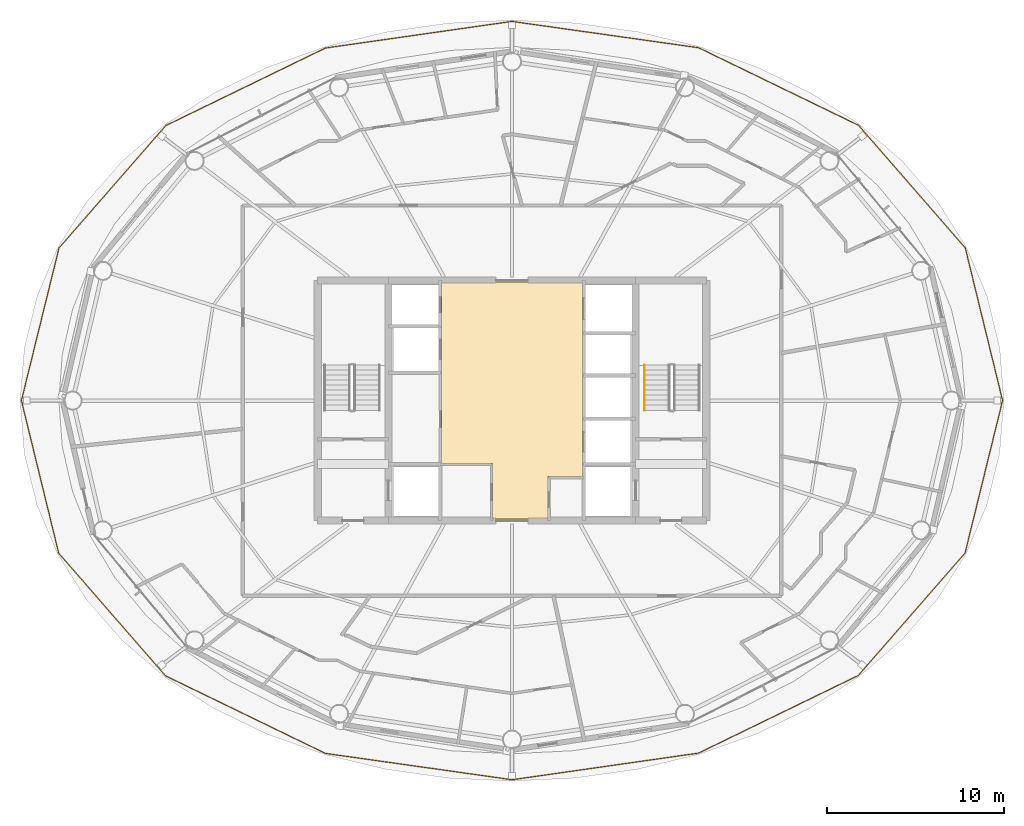
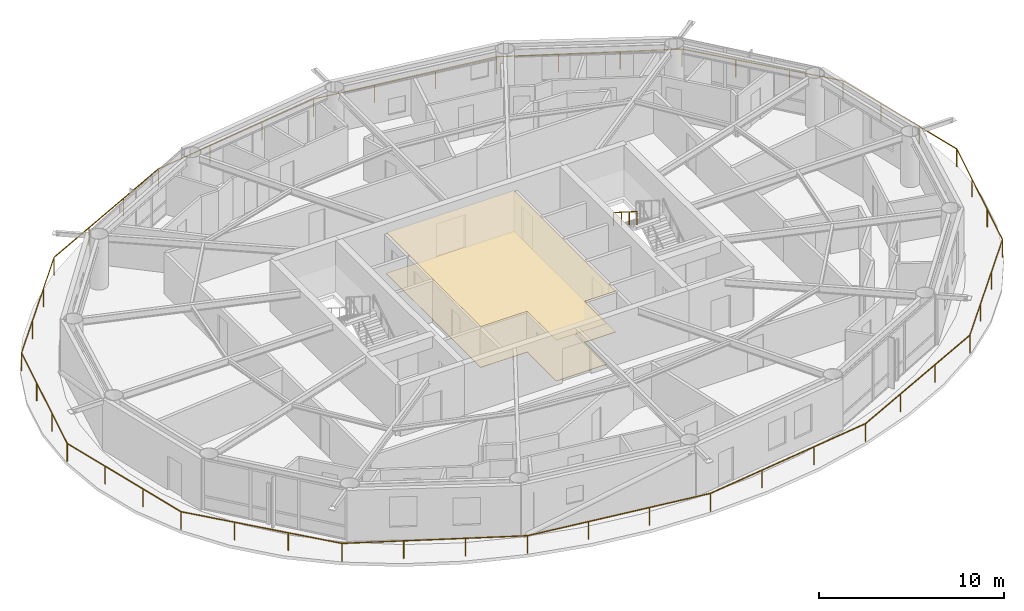
# One storey, part 22 of 23: 2 coverings, 2 railings.
"""IFC4 building model written with IfcOpenShell, lengths in metres."""

from ifc_helpers import new_model, si_unit, direction, frame, origin, origin_2d, place, context, subcontext, project, spatial, polyline, rectangle, outline, extrude, material, layer, layer_set, type_object, element, save


model = new_model("IFC4")

# Units and contexts
model_context = context("Model", 3, precision=1e-05, world=origin(), true_north=direction((0.0, 1.0)))
body_context = subcontext(model_context, "Body", "Model", "MODEL_VIEW")
ifc_project = project(units=[si_unit("LENGTHUNIT", "METRE"), si_unit("AREAUNIT", "SQUARE_METRE"), si_unit("VOLUMEUNIT", "CUBIC_METRE"), si_unit("PLANEANGLEUNIT", "RADIAN"), si_unit("MASSUNIT", "GRAM", prefix="KILO")], contexts=[model_context])

# Site, building, storey
site_placement = place(None, origin())
site = spatial("IfcSite", under=ifc_project, at=site_placement, CompositionType="ELEMENT")
building_placement = place(site_placement, origin())
building = spatial("IfcBuilding", under=site, at=building_placement, Name="Sarneth Arch Tower", CompositionType="ELEMENT")
storey_placement = place(building_placement, frame((0.0, 0.0, 249.60009765625)))
storey = spatial("IfcBuildingStorey", under=building, at=storey_placement, Name="L64", CompositionType="ELEMENT", Elevation=249.60009765625)

# Coverings
ifc_material_1 = material(Name="Perforated acoustic gypsum ceiling board")
ifc_layer_1 = layer(ifc_material_1, 0.02490234375)
ifc_layer_set_1 = layer_set([ifc_layer_1], Name="Perforated acoustic gypsum ceiling board")
covering_type_1 = type_object("IfcCoveringType", Name="COV-CEIL-GYP", PredefinedType="CEILING", material=ifc_layer_set_1)
covering_1_placement = place(storey_placement, frame((0.0, 0.0, 2.68994140625)))
element("IfcCovering", 1, at=covering_1_placement, inside=storey, type_object=covering_type_1, Name="L64 Lift lobby acoustic ceiling", PredefinedType="CEILING", context=body_context, shape_type="SweptSolid", body=[
    extrude(outline(polyline([(52.0, 37.699951171875), (50.050048828125, 37.699951171875), (50.050048828125, 35.300048828125), (46.89990234375, 35.300048828125), (46.89990234375, 38.449951171875), (44.0, 38.449951171875), (44.0, 48.699951171875), (52.0, 48.699951171875), (52.0, 37.699951171875)])), origin(), (0.0, 0.0, 1.0), 0.030029296875),
])
ifc_material_2 = material(Name="Honed granite stone flooring", Category="masonry")
ifc_layer_2 = layer(ifc_material_2, 0.030029296875)
ifc_layer_set_2 = layer_set([ifc_layer_2], Name="Honed granite stone flooring")
covering_type_2 = type_object("IfcCoveringType", Name="COV-FLR-STONE", PredefinedType="FLOORING", material=ifc_layer_set_2)
covering_2_placement = place(storey_placement, origin())
element("IfcCovering", 2, at=covering_2_placement, inside=storey, type_object=covering_type_2, Name="L64 Lift lobby granite flooring", PredefinedType="FLOORING", context=body_context, shape_type="SweptSolid", body=[
    extrude(outline(polyline([(52.0, 37.699951171875), (50.050048828125, 37.699951171875), (50.050048828125, 35.300048828125), (46.89990234375, 35.300048828125), (46.89990234375, 38.449951171875), (44.0, 38.449951171875), (44.0, 48.699951171875), (52.0, 48.699951171875), (52.0, 37.699951171875)])), origin(), (0.0, 0.0, 1.0), 0.02978515625),
])

# Railings
ifc_material_3 = material(Name="Laminated structural glass infill with Stainless Steel 316 top rail and posts", Category="steel")
railing_type_1 = type_object("IfcRailingType", Name="RAIL-BALC-1200", PredefinedType="BALUSTRADE", material=ifc_material_3)
railing_1_placement = place(storey_placement, frame((75.780517578125, 42.0, 0.0)))
element("IfcRailing", 3, at=railing_1_placement, inside=storey, type_object=railing_type_1, Name="L64 Helical balcony glass balustrade", PredefinedType="BALUSTRADE", context=body_context, shape_type="SweptSolid", body=[
    extrude(rectangle(XDim=0.048095703125, YDim=0.048095703125, at=origin_2d()), frame((0.0, 0.0, 1.17578125), z_axis=(-0.237426051291, 0.971405615677, 0.0), x_axis=(-0.971405615677, -0.237426051291, 0.0)), (0.0, 0.0, 1.0), 8.898681640625),
    extrude(rectangle(XDim=0.048095703125, YDim=0.048095703125, at=origin_2d()), frame((-2.11279296875, 8.644287109375, 1.17578125), z_axis=(-0.65673014401, 0.75412566456, 0.0), x_axis=(-0.75412566456, -0.65673014401, 0.0)), (0.0, 0.0, 1.0), 9.20458984375),
    extrude(rectangle(XDim=0.048095703125, YDim=0.048095703125, at=origin_2d()), frame((-8.15771484375, 15.585693359375, 1.17578125), z_axis=(-0.899709620975, 0.436488943646, 0.0), x_axis=(-0.436488943646, -0.899709620975, 0.0)), (0.0, 0.0, 1.0), 10.064453125),
    extrude(rectangle(XDim=0.048095703125, YDim=0.048095703125, at=origin_2d()), frame((-17.212890625, 19.978759765625, 1.17578125), z_axis=(-0.990186907312, 0.13974937777, 0.0), x_axis=(-0.13974937777, -0.990186907312, 0.0)), (0.0, 0.0, 1.0), 10.67236328125),
    extrude(rectangle(XDim=0.048095703125, YDim=0.048095703125, at=origin_2d()), frame((-27.780517578125, 21.47021484375, 1.17578125), z_axis=(-0.989980588927, -0.141203518185, 0.0), x_axis=(0.141203518185, -0.989980588927, 0.0)), (0.0, 0.0, 1.0), 10.669677734375),
    extrude(rectangle(XDim=0.048095703125, YDim=0.048095703125, at=origin_2d()), frame((-38.34326171875, 19.963623046875, 1.17578125), z_axis=(-0.899428557506, -0.437067809318, 0.0), x_axis=(0.437067809318, -0.899428557506, 0.0)), (0.0, 0.0, 1.0), 10.057861328125),
    extrude(rectangle(XDim=0.048095703125, YDim=0.048095703125, at=origin_2d()), frame((-47.3896484375, 15.567626953125, 1.17578125), z_axis=(-0.657267070512, -0.753657745944, 0.0), x_axis=(0.753657745944, -0.657267070512, 0.0)), (0.0, 0.0, 1.0), 9.19677734375),
    extrude(rectangle(XDim=0.048095703125, YDim=0.048095703125, at=origin_2d()), frame((-53.434326171875, 8.636474609375, 1.17578125), z_axis=(-0.23910465075, -0.97099380327, 0.0), x_axis=(0.97099380327, -0.23910465075, 0.0)), (0.0, 0.0, 1.0), 8.89453125),
    extrude(rectangle(XDim=0.048095703125, YDim=0.048095703125, at=origin_2d()), frame((-55.56103515625, 0.0, 1.17578125), z_axis=(0.237426051291, -0.971405615677, 0.0), x_axis=(0.971405615677, 0.237426051291, 0.0)), (0.0, 0.0, 1.0), 8.898681640625),
    extrude(rectangle(XDim=0.048095703125, YDim=0.048095703125, at=origin_2d()), frame((-53.4482421875, -8.644287109375, 1.17578125), z_axis=(0.65673014401, -0.75412566456, 0.0), x_axis=(0.75412566456, 0.65673014401, 0.0)), (0.0, 0.0, 1.0), 9.20458984375),
    extrude(rectangle(XDim=0.048095703125, YDim=0.048095703125, at=origin_2d()), frame((-47.4033203125, -15.585693359375, 1.17578125), z_axis=(0.899709620975, -0.436488943646, 0.0), x_axis=(0.436488943646, 0.899709620975, 0.0)), (0.0, 0.0, 1.0), 10.064453125),
    extrude(rectangle(XDim=0.048095703125, YDim=0.048095703125, at=origin_2d()), frame((-38.34814453125, -19.978759765625, 1.17578125), z_axis=(0.990186907312, -0.13974937777, 0.0), x_axis=(0.13974937777, 0.990186907312, 0.0)), (0.0, 0.0, 1.0), 10.67236328125),
    extrude(rectangle(XDim=0.048095703125, YDim=0.048095703125, at=origin_2d()), frame((-27.780517578125, -21.47021484375, 1.17578125), z_axis=(0.989980588927, 0.141203518185, 0.0), x_axis=(-0.141203518185, 0.989980588927, 0.0)), (0.0, 0.0, 1.0), 10.669677734375),
    extrude(rectangle(XDim=0.048095703125, YDim=0.048095703125, at=origin_2d()), frame((-17.2177734375, -19.963623046875, 1.17578125), z_axis=(0.899428557506, 0.437067809318, 0.0), x_axis=(-0.437067809318, 0.899428557506, 0.0)), (0.0, 0.0, 1.0), 10.057861328125),
    extrude(rectangle(XDim=0.048095703125, YDim=0.048095703125, at=origin_2d()), frame((-8.17138671875, -15.567626953125, 1.17578125), z_axis=(0.657267070512, 0.753657745944, 0.0), x_axis=(-0.753657745944, 0.657267070512, 0.0)), (0.0, 0.0, 1.0), 9.19677734375),
    extrude(rectangle(XDim=0.048095703125, YDim=0.048095703125, at=origin_2d()), frame((-2.126708984375, -8.636474609375, 1.17578125), z_axis=(0.23910465075, 0.97099380327, 0.0), x_axis=(-0.97099380327, 0.23910465075, 0.0)), (0.0, 0.0, 1.0), 8.89453125),
    extrude(rectangle(XDim=0.0419921875, YDim=0.0419921875, at=origin_2d()), origin(), (0.0, 0.0, 1.0), 1.15185546875),
    extrude(rectangle(XDim=0.0419921875, YDim=0.0419921875, at=origin_2d()), frame((-0.704345703125, 2.88134765625, 0.0)), (0.0, 0.0, 1.0), 1.15185546875),
    extrude(rectangle(XDim=0.0419921875, YDim=0.0419921875, at=origin_2d()), frame((-1.408447265625, 5.762939453125, 0.0)), (0.0, 0.0, 1.0), 1.15185546875),
    extrude(rectangle(XDim=0.0419921875, YDim=0.0419921875, at=origin_2d()), frame((-2.11279296875, 8.644287109375, 0.0)), (0.0, 0.0, 1.0), 1.15185546875),
    extrude(rectangle(XDim=0.0419921875, YDim=0.0419921875, at=origin_2d()), frame((-4.127685546875, 10.9580078125, 0.0)), (0.0, 0.0, 1.0), 1.15185546875),
    extrude(rectangle(XDim=0.0419921875, YDim=0.0419921875, at=origin_2d()), frame((-6.142822265625, 13.27197265625, 0.0)), (0.0, 0.0, 1.0), 1.15185546875),
    extrude(rectangle(XDim=0.0419921875, YDim=0.0419921875, at=origin_2d()), frame((-8.15771484375, 15.585693359375, 0.0)), (0.0, 0.0, 1.0), 1.15185546875),
    extrude(rectangle(XDim=0.0419921875, YDim=0.0419921875, at=origin_2d()), frame((-11.176025390625, 17.050048828125, 0.0)), (0.0, 0.0, 1.0), 1.15185546875),
    extrude(rectangle(XDim=0.0419921875, YDim=0.0419921875, at=origin_2d()), frame((-14.194580078125, 18.514404296875, 0.0)), (0.0, 0.0, 1.0), 1.15185546875),
    extrude(rectangle(XDim=0.0419921875, YDim=0.0419921875, at=origin_2d()), frame((-17.212890625, 19.978759765625, 0.0)), (0.0, 0.0, 1.0), 1.15185546875),
    extrude(rectangle(XDim=0.0419921875, YDim=0.0419921875, at=origin_2d()), frame((-20.7353515625, 20.475830078125, 0.0)), (0.0, 0.0, 1.0), 1.15185546875),
    extrude(rectangle(XDim=0.0419921875, YDim=0.0419921875, at=origin_2d()), frame((-24.258056640625, 20.97314453125, 0.0)), (0.0, 0.0, 1.0), 1.15185546875),
    extrude(rectangle(XDim=0.0419921875, YDim=0.0419921875, at=origin_2d()), frame((-27.780517578125, 21.47021484375, 0.0)), (0.0, 0.0, 1.0), 1.15185546875),
    extrude(rectangle(XDim=0.0419921875, YDim=0.0419921875, at=origin_2d()), frame((-31.301513671875, 20.968017578125, 0.0)), (0.0, 0.0, 1.0), 1.15185546875),
    extrude(rectangle(XDim=0.0419921875, YDim=0.0419921875, at=origin_2d()), frame((-34.822265625, 20.4658203125, 0.0)), (0.0, 0.0, 1.0), 1.15185546875),
    extrude(rectangle(XDim=0.0419921875, YDim=0.0419921875, at=origin_2d()), frame((-38.34326171875, 19.963623046875, 0.0)), (0.0, 0.0, 1.0), 1.15185546875),
    extrude(rectangle(XDim=0.0419921875, YDim=0.0419921875, at=origin_2d()), frame((-41.358642578125, 18.498291015625, 0.0)), (0.0, 0.0, 1.0), 1.15185546875),
    extrude(rectangle(XDim=0.0419921875, YDim=0.0419921875, at=origin_2d()), frame((-44.374267578125, 17.032958984375, 0.0)), (0.0, 0.0, 1.0), 1.15185546875),
    extrude(rectangle(XDim=0.0419921875, YDim=0.0419921875, at=origin_2d()), frame((-47.3896484375, 15.567626953125, 0.0)), (0.0, 0.0, 1.0), 1.15185546875),
    extrude(rectangle(XDim=0.0419921875, YDim=0.0419921875, at=origin_2d()), frame((-49.404541015625, 13.25732421875, 0.0)), (0.0, 0.0, 1.0), 1.15185546875),
    extrude(rectangle(XDim=0.0419921875, YDim=0.0419921875, at=origin_2d()), frame((-51.41943359375, 10.94677734375, 0.0)), (0.0, 0.0, 1.0), 1.15185546875),
    extrude(rectangle(XDim=0.0419921875, YDim=0.0419921875, at=origin_2d()), frame((-53.434326171875, 8.636474609375, 0.0)), (0.0, 0.0, 1.0), 1.15185546875),
    extrude(rectangle(XDim=0.0419921875, YDim=0.0419921875, at=origin_2d()), frame((-54.143310546875, 5.757568359375, 0.0)), (0.0, 0.0, 1.0), 1.15185546875),
    extrude(rectangle(XDim=0.0419921875, YDim=0.0419921875, at=origin_2d()), frame((-54.85205078125, 2.87890625, 0.0)), (0.0, 0.0, 1.0), 1.15185546875),
    extrude(rectangle(XDim=0.0419921875, YDim=0.0419921875, at=origin_2d()), frame((-55.56103515625, 0.0, 0.0)), (0.0, 0.0, 1.0), 1.15185546875),
    extrude(rectangle(XDim=0.0419921875, YDim=0.0419921875, at=origin_2d()), frame((-54.856689453125, -2.88134765625, 0.0)), (0.0, 0.0, 1.0), 1.15185546875),
    extrude(rectangle(XDim=0.0419921875, YDim=0.0419921875, at=origin_2d()), frame((-54.152587890625, -5.762939453125, 0.0)), (0.0, 0.0, 1.0), 1.15185546875),
    extrude(rectangle(XDim=0.0419921875, YDim=0.0419921875, at=origin_2d()), frame((-53.4482421875, -8.644287109375, 0.0)), (0.0, 0.0, 1.0), 1.15185546875),
    extrude(rectangle(XDim=0.0419921875, YDim=0.0419921875, at=origin_2d()), frame((-51.433349609375, -10.9580078125, 0.0)), (0.0, 0.0, 1.0), 1.15185546875),
    extrude(rectangle(XDim=0.0419921875, YDim=0.0419921875, at=origin_2d()), frame((-49.418212890625, -13.27197265625, 0.0)), (0.0, 0.0, 1.0), 1.15185546875),
    extrude(rectangle(XDim=0.0419921875, YDim=0.0419921875, at=origin_2d()), frame((-47.4033203125, -15.585693359375, 0.0)), (0.0, 0.0, 1.0), 1.15185546875),
    extrude(rectangle(XDim=0.0419921875, YDim=0.0419921875, at=origin_2d()), frame((-44.385009765625, -17.050048828125, 0.0)), (0.0, 0.0, 1.0), 1.15185546875),
    extrude(rectangle(XDim=0.0419921875, YDim=0.0419921875, at=origin_2d()), frame((-41.366455078125, -18.514404296875, 0.0)), (0.0, 0.0, 1.0), 1.15185546875),
    extrude(rectangle(XDim=0.0419921875, YDim=0.0419921875, at=origin_2d()), frame((-38.34814453125, -19.978759765625, 0.0)), (0.0, 0.0, 1.0), 1.15185546875),
    extrude(rectangle(XDim=0.0419921875, YDim=0.0419921875, at=origin_2d()), frame((-34.82568359375, -20.475830078125, 0.0)), (0.0, 0.0, 1.0), 1.15185546875),
    extrude(rectangle(XDim=0.0419921875, YDim=0.0419921875, at=origin_2d()), frame((-31.302978515625, -20.97314453125, 0.0)), (0.0, 0.0, 1.0), 1.15185546875),
    extrude(rectangle(XDim=0.0419921875, YDim=0.0419921875, at=origin_2d()), frame((-27.780517578125, -21.47021484375, 0.0)), (0.0, 0.0, 1.0), 1.15185546875),
    extrude(rectangle(XDim=0.0419921875, YDim=0.0419921875, at=origin_2d()), frame((-24.259521484375, -20.968017578125, 0.0)), (0.0, 0.0, 1.0), 1.15185546875),
    extrude(rectangle(XDim=0.0419921875, YDim=0.0419921875, at=origin_2d()), frame((-20.73876953125, -20.4658203125, 0.0)), (0.0, 0.0, 1.0), 1.15185546875),
    extrude(rectangle(XDim=0.0419921875, YDim=0.0419921875, at=origin_2d()), frame((-17.2177734375, -19.963623046875, 0.0)), (0.0, 0.0, 1.0), 1.15185546875),
    extrude(rectangle(XDim=0.0419921875, YDim=0.0419921875, at=origin_2d()), frame((-14.202392578125, -18.498291015625, 0.0)), (0.0, 0.0, 1.0), 1.15185546875),
    extrude(rectangle(XDim=0.0419921875, YDim=0.0419921875, at=origin_2d()), frame((-11.186767578125, -17.032958984375, 0.0)), (0.0, 0.0, 1.0), 1.15185546875),
    extrude(rectangle(XDim=0.0419921875, YDim=0.0419921875, at=origin_2d()), frame((-8.17138671875, -15.567626953125, 0.0)), (0.0, 0.0, 1.0), 1.15185546875),
    extrude(rectangle(XDim=0.0419921875, YDim=0.0419921875, at=origin_2d()), frame((-6.156494140625, -13.25732421875, 0.0)), (0.0, 0.0, 1.0), 1.15185546875),
    extrude(rectangle(XDim=0.0419921875, YDim=0.0419921875, at=origin_2d()), frame((-4.1416015625, -10.94677734375, 0.0)), (0.0, 0.0, 1.0), 1.15185546875),
    extrude(rectangle(XDim=0.0419921875, YDim=0.0419921875, at=origin_2d()), frame((-2.126708984375, -8.636474609375, 0.0)), (0.0, 0.0, 1.0), 1.15185546875),
    extrude(rectangle(XDim=0.0419921875, YDim=0.0419921875, at=origin_2d()), frame((-1.417724609375, -5.757568359375, 0.0)), (0.0, 0.0, 1.0), 1.15185546875),
    extrude(rectangle(XDim=0.0419921875, YDim=0.0419921875, at=origin_2d()), frame((-0.708984375, -2.87890625, 0.0)), (0.0, 0.0, 1.0), 1.15185546875),
])
ifc_material_4 = material(Name="Brushed Stainless Steel 304 tubular handrail", Category="steel")
railing_type_2 = type_object("IfcRailingType", Name="RAIL-HANDRAIL-900", PredefinedType="HANDRAIL", material=ifc_material_4)
railing_2_placement = place(storey_placement, frame((55.5, 44.014892578125, 1.97998046875)))
element("IfcRailing", 4, at=railing_2_placement, inside=storey, type_object=railing_type_2, Name="L64 ST-2 stair handrail 2", PredefinedType="HANDRAIL", context=body_context, shape_type="SweptSolid", body=[
    extrude(rectangle(XDim=0.048095703125, YDim=0.048095703125, at=origin_2d()), frame((0.0, 0.0, 0.8759765625), z_axis=(0.0, -0.845502289212, 0.533971796014), x_axis=(1.0, 0.0, 0.0)), (0.0, 0.0, 1.0), 3.03369140625),
    extrude(rectangle(XDim=0.0419921875, YDim=0.0419921875, at=origin_2d()), origin(), (0.0, 0.0, 1.0), 0.851806640625),
    extrude(rectangle(XDim=0.0419921875, YDim=0.0419921875, at=origin_2d()), frame((0.0, -0.85498046875, 0.5400390625)), (0.0, 0.0, 1.0), 0.851806640625),
    extrude(rectangle(XDim=0.0419921875, YDim=0.0419921875, at=origin_2d()), frame((0.0, -1.7099609375, 1.079833984375)), (0.0, 0.0, 1.0), 0.851806640625),
    extrude(rectangle(XDim=0.0419921875, YDim=0.0419921875, at=origin_2d()), frame((0.0, -2.56494140625, 1.619873046875)), (0.0, 0.0, 1.0), 0.851806640625),
])

save(model, "model.ifc")
